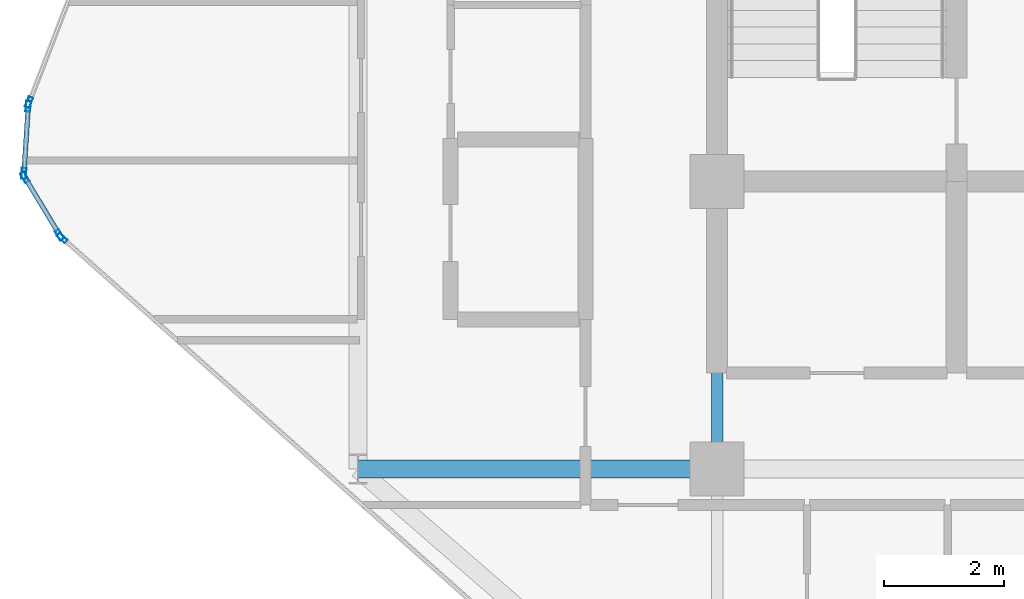
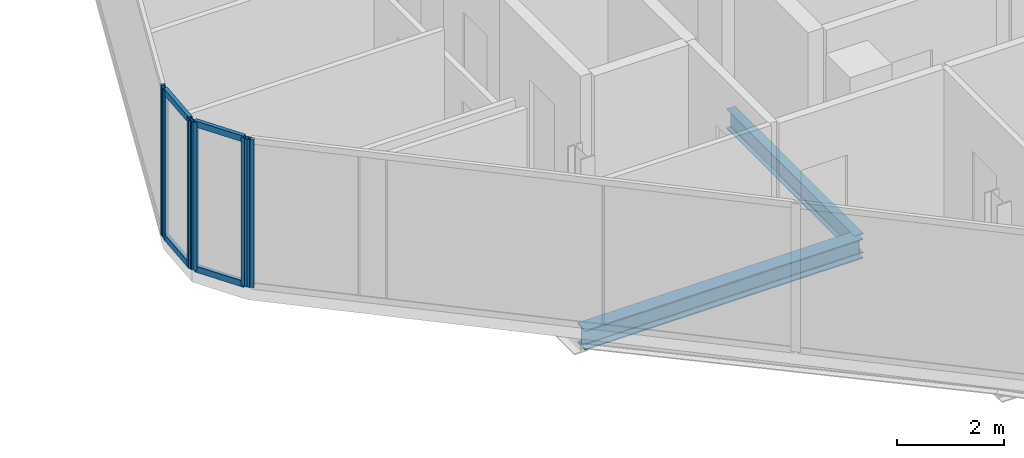
# One storey, part 7 of 32: 10 members, 2 beams, 4 elements without a shape of their own.
"""IFC4 building model written with IfcOpenShell, lengths in metres."""

from ifc_helpers import new_model, si_unit, direction, frame, origin, origin_2d, place, context, subcontext, project, spatial, hollow_rectangle, i_section, extrude, material, layer, layer_set, material_profile, profile_set, type_object, element, aggregate, save


model = new_model("IFC4")

# Units and contexts
model_context = context("Model", 3, precision=1e-05, world=origin(), true_north=direction((0.0, 1.0)))
body_context = subcontext(model_context, "Body", "Model", "MODEL_VIEW")
ifc_project = project(units=[si_unit("LENGTHUNIT", "METRE"), si_unit("AREAUNIT", "SQUARE_METRE"), si_unit("VOLUMEUNIT", "CUBIC_METRE"), si_unit("PLANEANGLEUNIT", "RADIAN"), si_unit("MASSUNIT", "GRAM", prefix="KILO")], contexts=[model_context])

# Site, building, storey
site_placement = place(None, origin())
site = spatial("IfcSite", under=ifc_project, at=site_placement, CompositionType="ELEMENT")
building_placement = place(site_placement, origin())
building = spatial("IfcBuilding", under=site, at=building_placement, Name="Keshet Zoharim Tower", CompositionType="ELEMENT")
storey_placement = place(building_placement, frame((0.0, 0.0, 137.199951171875)))
storey = spatial("IfcBuildingStorey", under=building, at=storey_placement, Name="L33", CompositionType="ELEMENT", Elevation=137.199951171875)

# Beams
ifc_material_1 = material(Name="Steel S355", Category="steel")
ifc_material_profile_1 = material_profile(ifc_material_1, i_section(OverallWidth=0.18994140625, OverallDepth=0.449951171875, WebThickness=0.009521484375, FlangeThickness=0.0146484375, FilletRadius=0.02099609375, at=origin_2d()), Name="IPE450")
ifc_profile_set_1 = profile_set([ifc_material_profile_1], Name="Steel S355")
beam_type_1 = type_object("IfcBeamType", Name="BM-PRI-IP450", PredefinedType="BEAM", material=ifc_profile_set_1)
beam_1_placement = place(storey_placement, frame((15.0, 17.89990234375, -0.5400390625), z_axis=(0.0, 1.0, 0.0), x_axis=(-1.0, 0.0, 0.0)))
element("IfcBeam", 1, at=beam_1_placement, inside=storey, type_object=beam_type_1, Name="L33 Primary Girder Y-003", PredefinedType="BEAM", context=body_context, shape_type="SweptSolid", body=[
    extrude(i_section(OverallWidth=0.18994140625, OverallDepth=0.449951171875, WebThickness=0.009521484375, FlangeThickness=0.0146484375, FilletRadius=0.02099609375, at=origin_2d()), origin(), (0.0, 0.0, 1.0), 4.800048828125),
])
ifc_material_profile_2 = material_profile(ifc_material_1, i_section(OverallWidth=0.300048828125, OverallDepth=0.449951171875, WebThickness=0.013916015625, FlangeThickness=0.02587890625, FilletRadius=0.027099609375, at=origin_2d()), Name="HEB450")
ifc_profile_set_2 = profile_set([ifc_material_profile_2], Name="Steel S355")
beam_type_2 = type_object("IfcBeamType", Name="BM-WEB-HB450", PredefinedType="BEAM", material=ifc_profile_set_2)
beam_2_placement = place(storey_placement, frame((9.0, 17.89990234375, -0.5400390625), z_axis=(1.0, 0.0, 0.0), x_axis=(0.0, 1.0, 0.0)))
element("IfcBeam", 2, at=beam_2_placement, inside=storey, type_object=beam_type_2, Name="L33 Primary Girder X-011", PredefinedType="BEAM", context=body_context, shape_type="SweptSolid", body=[
    extrude(i_section(OverallWidth=0.300048828125, OverallDepth=0.449951171875, WebThickness=0.013916015625, FlangeThickness=0.02587890625, FilletRadius=0.027099609375, at=origin_2d()), origin(), (0.0, 0.0, 1.0), 6.0),
])

# Curtain wall, member
ifc_material_2 = material(Name="Aluminium 6063-T6", Category="aluminium")
ifc_layer = layer(ifc_material_2, 0.159912109375)
ifc_layer_set = layer_set([ifc_layer], Name="Aluminium 6063-T6")
curtain_wall_type = type_object("IfcCurtainWallType", Name="CW-SYS-03", PredefinedType="NOTDEFINED", material=ifc_layer_set)
curtain_wall_1_placement = place(storey_placement, origin())
curtain_wall_1 = element("IfcCurtainWall", 3, at=curtain_wall_1_placement, inside=storey, type_object=curtain_wall_type, Name="L33 Unitised Curtain Wall 07 Part 2", PredefinedType="NOTDEFINED")
ifc_material_profile_3 = material_profile(ifc_material_2, hollow_rectangle(XDim=0.080078125, YDim=0.179931640625, WallThickness=0.00439453125, at=origin_2d()), Name="MUL-80x180")
ifc_profile_set_3 = profile_set([ifc_material_profile_3], Name="Aluminium 6063-T6")
member_type_1 = type_object("IfcMemberType", Name="CWM-M18", PredefinedType="MULLION", material=ifc_profile_set_3)
member_1_placement = place(storey_placement, frame((4.061279296875, 21.7568359375, 0.0), z_axis=(0.0, 0.0, 1.0), x_axis=(-0.664363542589, -0.747409582009, 0.0)))
member_1 = element("IfcMember", 4, at=member_1_placement, type_object=member_type_1, Name="CW-03 mullion 3", PredefinedType="MULLION", context=body_context, shape_type="SweptSolid", body=[
    extrude(hollow_rectangle(XDim=0.080078125, YDim=0.179931640625, WallThickness=0.00439453125, at=origin_2d()), origin(), (0.0, 0.0, 1.0), 3.385009765625),
])
aggregate(curtain_wall_1, [member_1])

# Curtain wall, members
curtain_wall_2_placement = place(storey_placement, origin())
curtain_wall_2 = element("IfcCurtainWall", 5, at=curtain_wall_2_placement, inside=storey, type_object=curtain_wall_type, Name="L33 Unitised Curtain Wall 08", PredefinedType="NOTDEFINED")
member_2_placement = place(storey_placement, frame((4.016845703125, 21.81005859375, 0.0), z_axis=(0.0, 0.0, 1.0), x_axis=(-0.856826433805, -0.515604947933, 0.0)))
member_2 = element("IfcMember", 6, at=member_2_placement, type_object=member_type_1, Name="CW-03 mullion 1", PredefinedType="MULLION", context=body_context, shape_type="SweptSolid", body=[
    extrude(hollow_rectangle(XDim=0.080078125, YDim=0.179931640625, WallThickness=0.00439453125, at=origin_2d()), origin(), (0.0, 0.0, 1.0), 3.385009765625),
])
member_3_placement = place(storey_placement, frame((3.43798828125, 22.77197265625, 0.0), z_axis=(0.0, 0.0, 1.0), x_axis=(-0.856826433805, -0.515604947933, 0.0)))
member_3 = element("IfcMember", 7, at=member_3_placement, type_object=member_type_1, Name="CW-03 mullion 2", PredefinedType="MULLION", context=body_context, shape_type="SweptSolid", body=[
    extrude(hollow_rectangle(XDim=0.080078125, YDim=0.179931640625, WallThickness=0.00439453125, at=origin_2d()), origin(), (0.0, 0.0, 1.0), 3.385009765625),
])

curtain_wall_3_placement = place(storey_placement, origin())
curtain_wall_3 = element("IfcCurtainWall", 8, at=curtain_wall_3_placement, inside=storey, type_object=curtain_wall_type, Name="L33 Unitised Curtain Wall 09", PredefinedType="NOTDEFINED")
member_4_placement = place(storey_placement, frame((3.42236328125, 22.8369140625, 0.0), z_axis=(0.0, 0.0, 1.0), x_axis=(-0.997916617186, 0.064516859374, 0.0)))
member_4 = element("IfcMember", 9, at=member_4_placement, type_object=member_type_1, Name="CW-03 mullion 1", PredefinedType="MULLION", context=body_context, shape_type="SweptSolid", body=[
    extrude(hollow_rectangle(XDim=0.080078125, YDim=0.179931640625, WallThickness=0.00439453125, at=origin_2d()), origin(), (0.0, 0.0, 1.0), 3.385009765625),
])
member_5_placement = place(storey_placement, frame((3.49462890625, 23.9580078125, 0.0), z_axis=(0.0, 0.0, 1.0), x_axis=(-0.997916617186, 0.064516859374, 0.0)))
member_5 = element("IfcMember", 10, at=member_5_placement, type_object=member_type_1, Name="CW-03 mullion 2", PredefinedType="MULLION", context=body_context, shape_type="SweptSolid", body=[
    extrude(hollow_rectangle(XDim=0.080078125, YDim=0.179931640625, WallThickness=0.00439453125, at=origin_2d()), origin(), (0.0, 0.0, 1.0), 3.385009765625),
])

# Curtain wall, member
curtain_wall_4_placement = place(storey_placement, origin())
curtain_wall_4 = element("IfcCurtainWall", 11, at=curtain_wall_4_placement, inside=storey, type_object=curtain_wall_type, Name="L33 Unitised Curtain Wall 10", PredefinedType="NOTDEFINED")
member_6_placement = place(storey_placement, frame((3.509521484375, 24.025634765625, 0.0), z_axis=(0.0, 0.0, 1.0), x_axis=(-0.933341404361, 0.358990003907, 0.0)))
member_6 = element("IfcMember", 12, at=member_6_placement, type_object=member_type_1, Name="CW-03 mullion 1", PredefinedType="MULLION", context=body_context, shape_type="SweptSolid", body=[
    extrude(hollow_rectangle(XDim=0.080078125, YDim=0.179931640625, WallThickness=0.00439453125, at=origin_2d()), origin(), (0.0, 0.0, 1.0), 3.385009765625),
])
aggregate(curtain_wall_4, [member_6])

# Member
ifc_material_profile_4 = material_profile(ifc_material_2, hollow_rectangle(XDim=0.080078125, YDim=0.139892578125, WallThickness=0.00390625, at=origin_2d()), Name="TRN-80x140")
ifc_profile_set_4 = profile_set([ifc_material_profile_4], Name="Aluminium 6063-T6")
member_type_2 = type_object("IfcMemberType", Name="CWT-T14", PredefinedType="USERDEFINED", material=ifc_profile_set_4)
member_7_placement = place(storey_placement, frame((3.9990234375, 21.840087890625, 0.03515625), z_axis=(-0.515791194107, 0.856714330499, 0.0), x_axis=(-0.856714330499, -0.515791194107, 0.0)))
member_7 = element("IfcMember", 13, at=member_7_placement, type_object=member_type_2, Name="CW-03 transom 1.1", ObjectType="TRANSOM", PredefinedType="USERDEFINED", context=body_context, shape_type="SweptSolid", body=[
    extrude(hollow_rectangle(XDim=0.080078125, YDim=0.139892578125, WallThickness=0.00390625, at=origin_2d()), origin(), (0.0, 0.0, 1.0), 1.052734375),
])

member_8_placement = place(storey_placement, frame((3.9990234375, 21.840087890625, 3.35009765625), z_axis=(-0.515791194107, 0.856714330499, 0.0), x_axis=(-0.856714330499, -0.515791194107, 0.0)))
member_8 = element("IfcMember", 14, at=member_8_placement, type_object=member_type_2, Name="CW-03 transom 1.2", ObjectType="TRANSOM", PredefinedType="USERDEFINED", context=body_context, shape_type="SweptSolid", body=[
    extrude(hollow_rectangle(XDim=0.080078125, YDim=0.139892578125, WallThickness=0.00390625, at=origin_2d()), origin(), (0.0, 0.0, 1.0), 1.052734375),
])

aggregate(curtain_wall_2, [member_2, member_3, member_7, member_8])

member_9_placement = place(storey_placement, frame((3.424560546875, 22.871826171875, 0.03515625), z_axis=(0.064426947155, 0.997922426083, 0.0), x_axis=(-0.997922426083, 0.064426947155, 0.0)))
member_9 = element("IfcMember", 15, at=member_9_placement, type_object=member_type_2, Name="CW-03 transom 1.1", ObjectType="TRANSOM", PredefinedType="USERDEFINED", context=body_context, shape_type="SweptSolid", body=[
    extrude(hollow_rectangle(XDim=0.080078125, YDim=0.139892578125, WallThickness=0.00390625, at=origin_2d()), origin(), (0.0, 0.0, 1.0), 1.053466796875),
])

member_10_placement = place(storey_placement, frame((3.424560546875, 22.871826171875, 3.35009765625), z_axis=(0.064426947155, 0.997922426083, 0.0), x_axis=(-0.997922426083, 0.064426947155, 0.0)))
member_10 = element("IfcMember", 16, at=member_10_placement, type_object=member_type_2, Name="CW-03 transom 1.2", ObjectType="TRANSOM", PredefinedType="USERDEFINED", context=body_context, shape_type="SweptSolid", body=[
    extrude(hollow_rectangle(XDim=0.080078125, YDim=0.139892578125, WallThickness=0.00390625, at=origin_2d()), origin(), (0.0, 0.0, 1.0), 1.053466796875),
])

aggregate(curtain_wall_3, [member_4, member_5, member_9, member_10])

save(model, "model.ifc")
